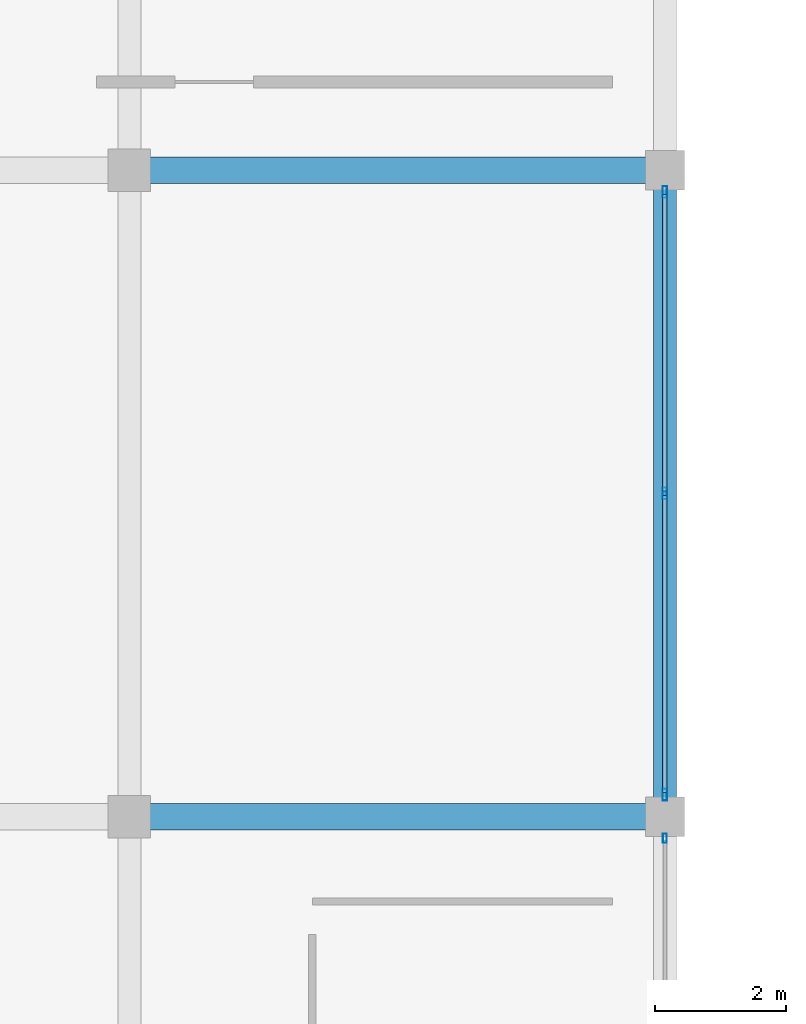
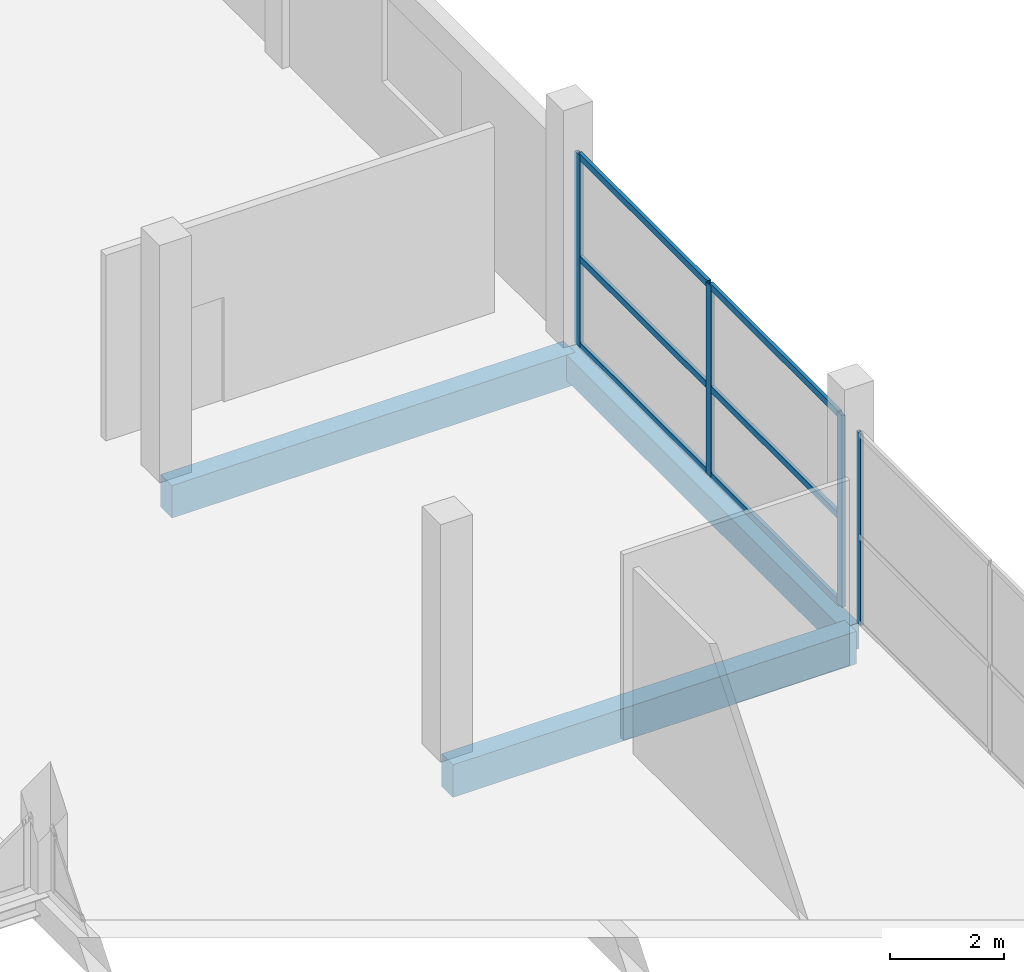
# One storey, part 38 of 66: 10 members, 3 beams, 2 elements without a shape of their own.
"""IFC4 building model written with IfcOpenShell, lengths in metres."""

from ifc_helpers import new_model, si_unit, direction, frame, origin, origin_2d, place, context, subcontext, project, spatial, rectangle, hollow_rectangle, extrude, material, layer, layer_set, material_profile, profile_set, type_object, element, aggregate, save


model = new_model("IFC4")

# Units and contexts
model_context = context("Model", 3, precision=1e-05, world=origin(), true_north=direction((0.0, 1.0)))
body_context = subcontext(model_context, "Body", "Model", "MODEL_VIEW")
ifc_project = project(units=[si_unit("LENGTHUNIT", "METRE"), si_unit("AREAUNIT", "SQUARE_METRE"), si_unit("VOLUMEUNIT", "CUBIC_METRE"), si_unit("PLANEANGLEUNIT", "RADIAN"), si_unit("MASSUNIT", "GRAM", prefix="KILO")], contexts=[model_context])

# Site, building, storey
site_placement = place(None, origin())
site = spatial("IfcSite", under=ifc_project, at=site_placement, CompositionType="ELEMENT")
building_placement = place(site_placement, origin())
building = spatial("IfcBuilding", under=site, at=building_placement, Name="Sillaruma Civic Art Gallery", CompositionType="ELEMENT")
storey_placement = place(building_placement, frame((0.0, 0.0, 57.1201171875)))
storey = spatial("IfcBuildingStorey", under=building, at=storey_placement, Name="L11", CompositionType="ELEMENT", Elevation=57.1201171875)

# Beams
ifc_material_1 = material(Name="Concrete H35 (35 MPa)", Category="concrete")
ifc_material_profile_1 = material_profile(ifc_material_1, rectangle(XDim=0.39990234375, YDim=0.699951171875, at=origin_2d()), Name="RCB400x700")
ifc_profile_set_1 = profile_set([ifc_material_profile_1], Name="Concrete H35 (35 MPa)")
beam_type_1 = type_object("IfcBeamType", Name="BM-BEAM-RCB400x700", PredefinedType="BEAM", material=ifc_profile_set_1)
for number, where, z_axis, x_axis, name in (
    (1, (106.199951171875, 69.300048828125, -0.60009765625), (1.0, 0.0, 0.0), (0.0, 1.0, 0.0), "Beam BM-04 (L10:8:M-N)"),
    (2, (106.199951171875, 79.199951171875, -0.60009765625), (1.0, 0.0, 0.0), (0.0, 1.0, 0.0), "Beam BM-04 (L10:9:M-N)"),
):
    element("IfcBeam", number, at=place(storey_placement, frame(where, z_axis=z_axis, x_axis=x_axis)), inside=storey, type_object=beam_type_1, Name=name, PredefinedType="BEAM", context=body_context, shape_type="SweptSolid", body=[
        extrude(rectangle(XDim=0.39990234375, YDim=0.699951171875, at=origin_2d()), origin(), (0.0, 0.0, 1.0), 8.199951171875),
    ])
ifc_material_profile_2 = material_profile(ifc_material_1, rectangle(XDim=0.35009765625, YDim=0.550048828125, at=origin_2d()), Name="RCB350x550")
ifc_profile_set_2 = profile_set([ifc_material_profile_2], Name="Concrete H35 (35 MPa)")
beam_type_2 = type_object("IfcBeamType", Name="BM-SPANDREL-RCB350x550", PredefinedType="SPANDREL", material=ifc_profile_set_2)
beam_placement = place(storey_placement, frame((114.39990234375, 69.300048828125, -0.525146484375), z_axis=(0.0, 1.0, 0.0), x_axis=(-1.0, 0.0, 0.0)))
element("IfcBeam", 3, at=beam_placement, inside=storey, type_object=beam_type_2, Name="Beam BS-04 (L10:N:8-9)", PredefinedType="SPANDREL", context=body_context, shape_type="SweptSolid", body=[
    extrude(rectangle(XDim=0.35009765625, YDim=0.550048828125, at=origin_2d()), origin(), (0.0, 0.0, 1.0), 9.89990234375),
])

# Curtain wall, member
ifc_material_2 = material(Name="Thermally Broken Extruded Aluminium 6063-T6", Category="aluminium")
ifc_layer_1 = layer(ifc_material_2, 0.139892578125, Name="Thermally Broken Extruded Aluminium 6063-T6")
ifc_layer_set_1 = layer_set([ifc_layer_1], Name="Thermally Broken Extruded Aluminium 6063-T6")
curtain_wall_type_1 = type_object("IfcCurtainWallType", Name="CW-UNI-82", PredefinedType="NOTDEFINED", material=ifc_layer_set_1)
curtain_wall_1_placement = place(storey_placement, origin())
curtain_wall_1 = element("IfcCurtainWall", 4, at=curtain_wall_1_placement, inside=storey, type_object=curtain_wall_type_1, Name="Unitised Curtain Wall CW-82 (CW-L11-EBE-5)", PredefinedType="NOTDEFINED")
ifc_material_profile_3 = material_profile(ifc_material_2, hollow_rectangle(XDim=0.06005859375, YDim=0.139892578125, WallThickness=0.00341796875, at=origin_2d()), Name="CWM60x140")
ifc_profile_set_3 = profile_set([ifc_material_profile_3], Name="Thermally Broken Extruded Aluminium 6063-T6")
member_type_1 = type_object("IfcMemberType", Name="MEM-MUL-CWM60x140", PredefinedType="MULLION", material=ifc_profile_set_3)
member_1_placement = place(storey_placement, frame((114.39990234375, 68.969970703125, 0.0), z_axis=(0.0, 0.0, 1.0), x_axis=(-1.0, 0.0, 0.0)))
member_1 = element("IfcMember", 5, at=member_1_placement, type_object=member_type_1, Name="CW-82 mullion 3", PredefinedType="MULLION", context=body_context, shape_type="SweptSolid", body=[
    extrude(hollow_rectangle(XDim=0.06005859375, YDim=0.139892578125, WallThickness=0.00341796875, at=origin_2d()), origin(), (0.0, 0.0, 1.0), 4.119873046875),
])
aggregate(curtain_wall_1, [member_1])

# Curtain wall, members
ifc_layer_2 = layer(ifc_material_2, 0.179931640625, Name="Thermally Broken Extruded Aluminium 6063-T6")
ifc_layer_set_2 = layer_set([ifc_layer_2], Name="Thermally Broken Extruded Aluminium 6063-T6")
curtain_wall_type_2 = type_object("IfcCurtainWallType", Name="CW-UNI-78", PredefinedType="NOTDEFINED", material=ifc_layer_set_2)
curtain_wall_2_placement = place(storey_placement, origin())
curtain_wall_2 = element("IfcCurtainWall", 6, at=curtain_wall_2_placement, inside=storey, type_object=curtain_wall_type_2, Name="Unitised Curtain Wall CW-78 (CW-L11-EBE-6)", PredefinedType="NOTDEFINED")
ifc_material_profile_4 = material_profile(ifc_material_2, hollow_rectangle(XDim=0.070068359375, YDim=0.179931640625, WallThickness=0.00390625, at=origin_2d()), Name="CWM70x180")
ifc_profile_set_4 = profile_set([ifc_material_profile_4], Name="Thermally Broken Extruded Aluminium 6063-T6")
member_type_2 = type_object("IfcMemberType", Name="MEM-MUL-CWM70x180", PredefinedType="MULLION", material=ifc_profile_set_4)
member_2_placement = place(storey_placement, frame((114.39990234375, 69.635009765625, 0.0), z_axis=(0.0, 0.0, 1.0), x_axis=(-1.0, 0.0, 0.0)))
member_2 = element("IfcMember", 7, at=member_2_placement, type_object=member_type_2, Name="CW-78 mullion 1", PredefinedType="MULLION", context=body_context, shape_type="SweptSolid", body=[
    extrude(hollow_rectangle(XDim=0.070068359375, YDim=0.179931640625, WallThickness=0.00390625, at=origin_2d()), origin(), (0.0, 0.0, 1.0), 4.119873046875),
])
member_3_placement = place(storey_placement, frame((114.39990234375, 74.25, 0.0), z_axis=(0.0, 0.0, 1.0), x_axis=(-1.0, 0.0, 0.0)))
member_3 = element("IfcMember", 8, at=member_3_placement, type_object=member_type_2, Name="CW-78 mullion 2", PredefinedType="MULLION", context=body_context, shape_type="SweptSolid", body=[
    extrude(hollow_rectangle(XDim=0.070068359375, YDim=0.179931640625, WallThickness=0.00390625, at=origin_2d()), origin(), (0.0, 0.0, 1.0), 4.119873046875),
])
member_4_placement = place(storey_placement, frame((114.39990234375, 78.864990234375, 0.0), z_axis=(0.0, 0.0, 1.0), x_axis=(-1.0, 0.0, 0.0)))
member_4 = element("IfcMember", 9, at=member_4_placement, type_object=member_type_2, Name="CW-78 mullion 3", PredefinedType="MULLION", context=body_context, shape_type="SweptSolid", body=[
    extrude(hollow_rectangle(XDim=0.070068359375, YDim=0.179931640625, WallThickness=0.00390625, at=origin_2d()), origin(), (0.0, 0.0, 1.0), 4.119873046875),
])
ifc_material_profile_5 = material_profile(ifc_material_2, hollow_rectangle(XDim=0.070068359375, YDim=0.139892578125, WallThickness=0.00390625, at=origin_2d()), Name="CWT70x140")
ifc_profile_set_5 = profile_set([ifc_material_profile_5], Name="Thermally Broken Extruded Aluminium 6063-T6")
member_type_3 = type_object("IfcMemberType", Name="MEM-TRN-CWT70x140", PredefinedType="USERDEFINED", material=ifc_profile_set_5)
member_5_placement = place(storey_placement, frame((114.39990234375, 69.669921875, 0.034912109375), z_axis=(0.0, 1.0, 0.0), x_axis=(-1.0, 0.0, 0.0)))
member_5 = element("IfcMember", 10, at=member_5_placement, type_object=member_type_3, Name="CW-78 transom 1.1", ObjectType="TRANSOM", PredefinedType="USERDEFINED", context=body_context, shape_type="SweptSolid", body=[
    extrude(hollow_rectangle(XDim=0.070068359375, YDim=0.139892578125, WallThickness=0.00390625, at=origin_2d()), origin(), (0.0, 0.0, 1.0), 4.545166015625),
])
member_6_placement = place(storey_placement, frame((114.39990234375, 69.669921875, 1.89501953125), z_axis=(0.0, 1.0, 0.0), x_axis=(-1.0, 0.0, 0.0)))
member_6 = element("IfcMember", 11, at=member_6_placement, type_object=member_type_3, Name="CW-78 transom 1.2", ObjectType="TRANSOM", PredefinedType="USERDEFINED", context=body_context, shape_type="SweptSolid", body=[
    extrude(hollow_rectangle(XDim=0.070068359375, YDim=0.139892578125, WallThickness=0.00390625, at=origin_2d()), origin(), (0.0, 0.0, 1.0), 4.545166015625),
])
member_7_placement = place(storey_placement, frame((114.39990234375, 69.669921875, 4.0849609375), z_axis=(0.0, 1.0, 0.0), x_axis=(-1.0, 0.0, 0.0)))
member_7 = element("IfcMember", 12, at=member_7_placement, type_object=member_type_3, Name="CW-78 transom 1.3", ObjectType="TRANSOM", PredefinedType="USERDEFINED", context=body_context, shape_type="SweptSolid", body=[
    extrude(hollow_rectangle(XDim=0.070068359375, YDim=0.139892578125, WallThickness=0.00390625, at=origin_2d()), origin(), (0.0, 0.0, 1.0), 4.545166015625),
])
member_8_placement = place(storey_placement, frame((114.39990234375, 74.284912109375, 0.034912109375), z_axis=(0.0, 1.0, 0.0), x_axis=(-1.0, 0.0, 0.0)))
member_8 = element("IfcMember", 13, at=member_8_placement, type_object=member_type_3, Name="CW-78 transom 2.1", ObjectType="TRANSOM", PredefinedType="USERDEFINED", context=body_context, shape_type="SweptSolid", body=[
    extrude(hollow_rectangle(XDim=0.070068359375, YDim=0.139892578125, WallThickness=0.00390625, at=origin_2d()), origin(), (0.0, 0.0, 1.0), 4.545166015625),
])
member_9_placement = place(storey_placement, frame((114.39990234375, 74.284912109375, 1.89501953125), z_axis=(0.0, 1.0, 0.0), x_axis=(-1.0, 0.0, 0.0)))
member_9 = element("IfcMember", 14, at=member_9_placement, type_object=member_type_3, Name="CW-78 transom 2.2", ObjectType="TRANSOM", PredefinedType="USERDEFINED", context=body_context, shape_type="SweptSolid", body=[
    extrude(hollow_rectangle(XDim=0.070068359375, YDim=0.139892578125, WallThickness=0.00390625, at=origin_2d()), origin(), (0.0, 0.0, 1.0), 4.545166015625),
])
member_10_placement = place(storey_placement, frame((114.39990234375, 74.284912109375, 4.0849609375), z_axis=(0.0, 1.0, 0.0), x_axis=(-1.0, 0.0, 0.0)))
member_10 = element("IfcMember", 15, at=member_10_placement, type_object=member_type_3, Name="CW-78 transom 2.3", ObjectType="TRANSOM", PredefinedType="USERDEFINED", context=body_context, shape_type="SweptSolid", body=[
    extrude(hollow_rectangle(XDim=0.070068359375, YDim=0.139892578125, WallThickness=0.00390625, at=origin_2d()), origin(), (0.0, 0.0, 1.0), 4.545166015625),
])
aggregate(curtain_wall_2, [member_2, member_3, member_4, member_5, member_6, member_7, member_8, member_9, member_10])

save(model, "model.ifc")
